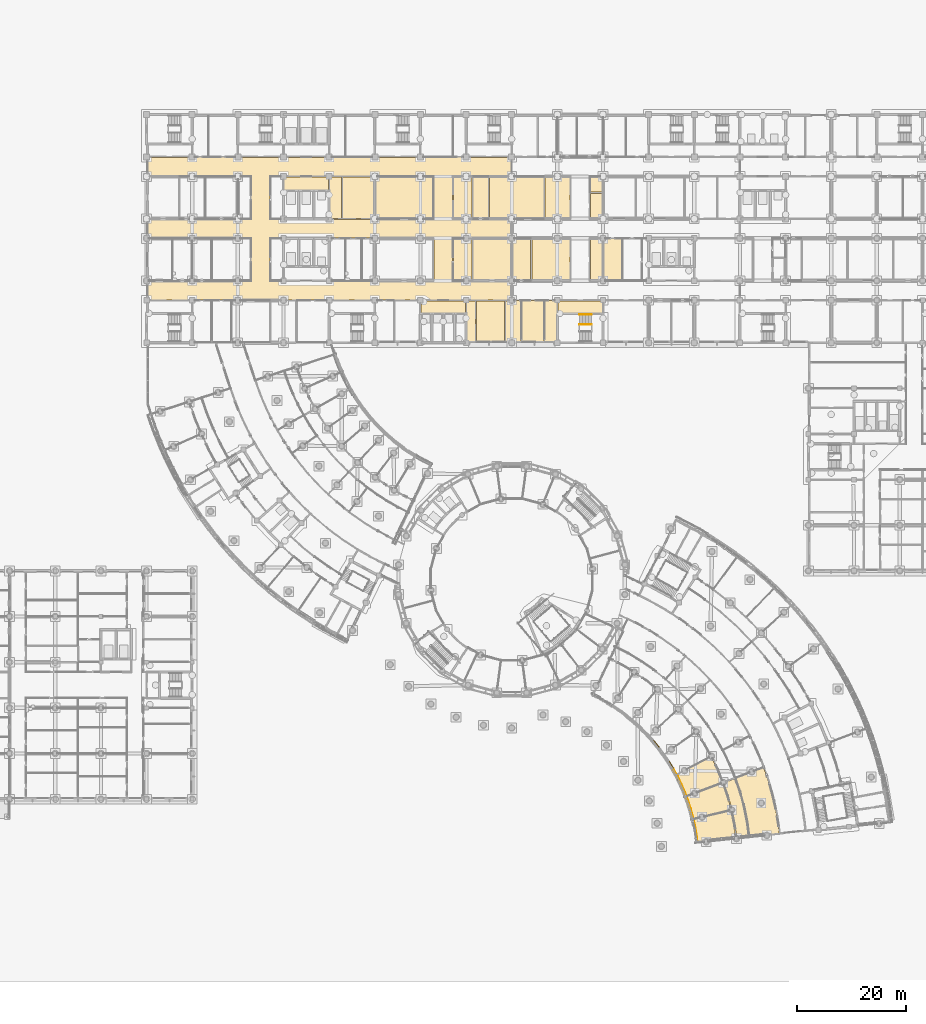
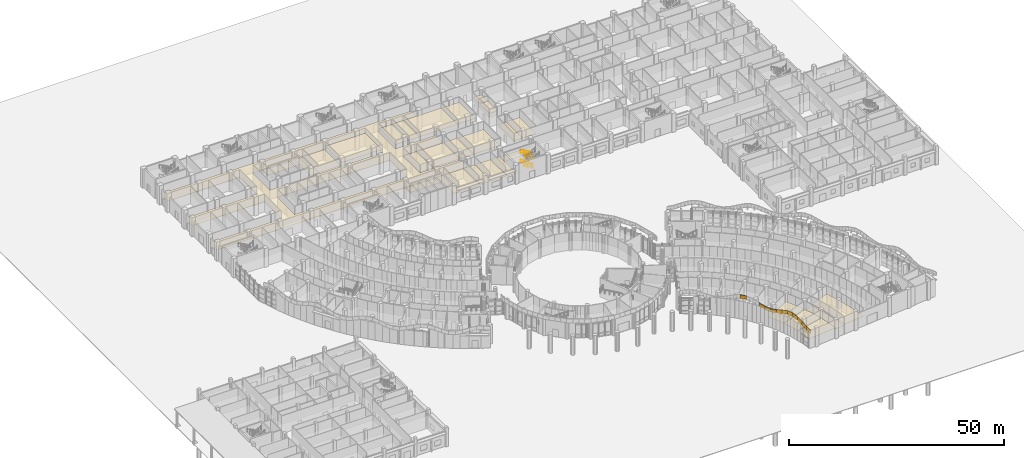
# One storey, part 131 of 146: 40 coverings, 4 railings.
"""IFC4 building model written with IfcOpenShell, lengths in metres."""

from ifc_helpers import new_model, si_unit, direction, frame, origin, origin_2d, place, context, subcontext, project, spatial, polyline, circle, outline, extrude, material, layer, layer_set, type_object, element, save


model = new_model("IFC4")

# Units and contexts
model_context = context("Model", 3, precision=1e-05, world=origin(), true_north=direction((0.0, 1.0)))
body_context = subcontext(model_context, "Body", "Model", "MODEL_VIEW")
ifc_project = project(units=[si_unit("LENGTHUNIT", "METRE"), si_unit("AREAUNIT", "SQUARE_METRE"), si_unit("VOLUMEUNIT", "CUBIC_METRE"), si_unit("PLANEANGLEUNIT", "RADIAN"), si_unit("MASSUNIT", "GRAM", prefix="KILO")], contexts=[model_context])

# Site, building, storey
site_placement = place(None, origin())
site = spatial("IfcSite", under=ifc_project, at=site_placement, CompositionType="ELEMENT")
building_placement = place(site_placement, origin())
building = spatial("IfcBuilding", under=site, at=building_placement, Name="Bougainvillea Quay General Hospital", CompositionType="ELEMENT")
storey_placement = place(building_placement, origin())
storey = spatial("IfcBuildingStorey", under=building, at=storey_placement, Name="L00", CompositionType="ELEMENT", Elevation=0.0)

# Coverings
ifc_material_1 = material(Name="Powder-coated aluminium fascia, red", Category="aluminium")
ifc_layer_1 = layer(ifc_material_1, 0.14990234375)
ifc_layer_set_1 = layer_set([ifc_layer_1], Name="Powder-coated aluminium fascia, red")
covering_type_1 = type_object("IfcCoveringType", Name="Aluminium wave fascia ribbon red 150x1000", PredefinedType="CLADDING", material=ifc_layer_set_1)
covering_1_placement = place(storey_placement, frame((135.25537109375, 44.307373046875, 5.629150390625), z_axis=(-0.010456352021, 0.012797928922, 0.999863429533), x_axis=(0.632432852444, -0.774438870979, 0.01652641118)))
element("IfcCovering", 1, at=covering_1_placement, inside=storey, type_object=covering_type_1, Name="Fascia ribbon red a21 10", PredefinedType="CLADDING", context=body_context, shape_type="SweptSolid", body=[
    extrude(outline(polyline([(0.0, 0.0), (1.5920054283031937, -6.115747285765499e-17), (1.5954214537440308, 0.150084576642099), (-0.003488134834307932, 0.14973461508075459), (0.0, 0.0)])), origin(), (0.01652641118, 3.974761e-06, 0.999863429533), 1.0),
])
covering_2_placement = place(storey_placement, frame((138.098876953125, 40.475341796875, 4.67626953125), z_axis=(0.1460503813, -0.240365047595, 0.959632184755), x_axis=(0.498070371092, -0.820255961182, -0.281258001815)))
element("IfcCovering", 2, at=covering_2_placement, inside=storey, type_object=covering_type_1, Name="Fascia ribbon red a21 13", PredefinedType="CLADDING", context=body_context, shape_type="SweptSolid", body=[
    extrude(outline(polyline([(0.0, 0.0), (1.6587501584261404, 1.6202046215080257e-17), (1.662236459535834, 0.14992005286139282), (-0.003571607161348074, 0.15003965545907455), (0.0, 0.0)])), origin(), (-0.281258001815, -7.9987442e-05, 0.959632184755), 1.0),
])
covering_3_placement = place(storey_placement, frame((138.925048828125, 39.11474609375, 4.208984375), z_axis=(0.026378014267, -0.048277588081, 0.998485590708), x_axis=(0.477987450552, -0.876642158621, -0.055013842293)))
element("IfcCovering", 3, at=covering_3_placement, inside=storey, type_object=covering_type_1, Name="Fascia ribbon red a21 14", PredefinedType="CLADDING", context=body_context, shape_type="SweptSolid", body=[
    extrude(outline(polyline([(0.0, 0.0), (1.5941036422119659, -1.6263032587282567e-17), (1.5974784159210669, 0.14999255288916558), (-0.0036364338001345182, 0.14991349660514705), (0.0, 0.0)])), origin(), (-0.055013842293, -4.7998121e-05, 0.998485590708), 1.0),
])
covering_4_placement = place(storey_placement, frame((139.68701171875, 37.71728515625, 4.12158203125), z_axis=(-0.091205848489, 0.187327997361, 0.978054044829), x_axis=(0.427832333071, -0.879516466349, 0.208351338368)))
element("IfcCovering", 4, at=covering_4_placement, inside=storey, type_object=covering_type_1, Name="Fascia ribbon red a21 15", PredefinedType="CLADDING", context=body_context, shape_type="SweptSolid", body=[
    extrude(outline(polyline([(0.0, 0.0), (1.6274860510538782, -1.2632310562171734e-16), (1.6310571235188887, 0.1500644940061393), (-0.0036748641768864325, 0.14998709725196413), (0.0, 0.0)])), origin(), (0.208351338368, 7.2071413e-05, 0.978054044829), 1.0),
])
covering_5_placement = place(storey_placement, frame((140.38330078125, 36.285888671875, 4.461669921875), z_axis=(-0.135096361514, 0.314482045669, 0.939600987685), x_axis=(0.371431194146, -0.86306948072, 0.342271733372)))
element("IfcCovering", 5, at=covering_5_placement, inside=storey, type_object=covering_type_1, Name="Fascia ribbon red a21 16", PredefinedType="CLADDING", context=body_context, shape_type="SweptSolid", body=[
    extrude(outline(polyline([(0.0, 0.0), (1.6938802745660184, 1.3769367590565906e-17), (1.69773384591488, 0.1499263530437098), (-0.0036687275888235924, 0.15006530087556896), (0.0, 0.0)])), origin(), (0.342271733372, -0.000210895181, 0.939600987685), 1.0),
])
covering_6_placement = place(storey_placement, frame((141.012451171875, 34.823974609375, 5.042724609375), z_axis=(-0.105739056109, 0.281481283623, 0.9537229886), x_axis=(0.335996375727, -0.89257717485, 0.300686585059)))
element("IfcCovering", 6, at=covering_6_placement, inside=storey, type_object=covering_type_1, Name="Fascia ribbon red a21 17", PredefinedType="CLADDING", context=body_context, shape_type="SweptSolid", body=[
    extrude(outline(polyline([(0.0, 0.0), (1.6689942695991586, 6.735605996566196e-18), (1.6727023175367575, 0.14998323475887096), (-0.0035121269046788028, 0.149934689942147), (0.0, 0.0)])), origin(), (0.300686585059, -0.000196423159, 0.9537229886), 1.0),
])
covering_7_placement = place(storey_placement, frame((141.5732421875, 33.334228515625, 5.545166015625), z_axis=(-0.029367697839, 0.087955533971, 0.995691399163), x_axis=(0.307112064601, -0.947145283147, 0.092725360007)))
element("IfcCovering", 7, at=covering_7_placement, inside=storey, type_object=covering_type_1, Name="Fascia ribbon red a21 18", PredefinedType="CLADDING", context=body_context, shape_type="SweptSolid", body=[
    extrude(outline(polyline([(0.0, 0.0), (1.5986527591592044, -3.416592096044946e-17), (1.6021627413212993, 0.15004110465553835), (-0.003476128020133116, 0.1499840812999515), (0.0, 0.0)])), origin(), (0.092725360007, 0.000803270855, 0.995691399163), 1.0),
])
covering_8_placement = place(storey_placement, frame((142.064208984375, 31.820068359375, 5.693359375), z_axis=(0.047642216128, -0.170829292867, 0.984148145322), x_axis=(0.259763897927, -0.94924760207, -0.177346292034)))
element("IfcCovering", 8, at=covering_8_placement, inside=storey, type_object=covering_type_1, Name="Fascia ribbon red a21 19", PredefinedType="CLADDING", context=body_context, shape_type="SweptSolid", body=[
    extrude(outline(polyline([(0.0, 0.0), (1.617493586643133, 5.068645156369733e-18), (1.6209538388965081, 0.15018481140118367), (-0.0035208336595826725, 0.1500408561581108), (0.0, 0.0)])), origin(), (-0.177346292034, -0.000848976421, 0.984148145322), 1.0),
])
covering_9_placement = place(storey_placement, frame((142.484375, 30.28466796875, 5.405517578125), z_axis=(0.073399239322, -0.325946992396, 0.942534407762), x_axis=(0.206453989306, -0.919645531426, -0.33410903434)))
element("IfcCovering", 9, at=covering_9_placement, inside=storey, type_object=covering_type_1, Name="Fascia ribbon red a21 20", PredefinedType="CLADDING", context=body_context, shape_type="SweptSolid", body=[
    extrude(outline(polyline([(0.0, 0.0), (1.6886737061743793, -1.473159701864679e-17), (1.6922573823050386, 0.14987421593323985), (-0.003770678158857747, 0.1501805133547914), (0.0, 0.0)])), origin(), (-0.33410903434, -0.00020822557, 0.942534407762), 1.0),
])
covering_10_placement = place(storey_placement, frame((142.8330078125, 28.731689453125, 4.840087890625), z_axis=(0.055230700614, -0.312027649731, 0.948466296456), x_axis=(0.164530762341, -0.934086723661, -0.31687792748)))
element("IfcCovering", 10, at=covering_10_placement, inside=storey, type_object=covering_type_1, Name="Fascia ribbon red a21 21", PredefinedType="CLADDING", context=body_context, shape_type="SweptSolid", body=[
    extrude(outline(polyline([(0.0, 0.0), (1.6782263844935197, 4.949382917396328e-17), (1.6817870527254954, 0.149885292064812), (-0.00379916119893468, 0.14986889758593544), (0.0, 0.0)])), origin(), (-0.31687792748, -0.0002521171, 0.948466296456), 1.0),
])
covering_11_placement = place(storey_placement, frame((143.109130859375, 27.1640625, 4.307373046875), z_axis=(0.016459739758, -0.12864416357, 0.991554212409), x_axis=(0.126483363251, -0.983453975545, -0.129692855647)))
element("IfcCovering", 11, at=covering_11_placement, inside=storey, type_object=covering_type_1, Name="Fascia ribbon red a21 22", PredefinedType="CLADDING", context=body_context, shape_type="SweptSolid", body=[
    extrude(outline(polyline([(0.0, 0.0), (1.5982212289485975, 5.2062033070038316e-17), (1.5982990995852246, 0.1498961602164668), (-0.0036487314314801165, 0.14987900956021785), (0.0, 0.0)])), origin(), (-0.129692855647, 8.394997e-05, 0.991554212409), 1.0),
])

# Railings
ifc_material_2 = material(Name="Stainless steel 304 balustrade", Category="steel")
railing_type_1 = type_object("IfcRailingType", Name="Stair guard 1100", PredefinedType="GUARDRAIL", material=ifc_material_2)
railing_1_placement = place(storey_placement, frame((123.89990234375, 120.949951171875, 0.14990234375)))
element("IfcRailing", 12, at=railing_1_placement, inside=storey, type_object=railing_type_1, Name="L00 ST-B3 stair guard 1", PredefinedType="GUARDRAIL", context=body_context, shape_type="SweptSolid", body=[
    extrude(circle(Radius=0.02392578125, at=origin_2d()), frame((0.0, 0.0, 1.076171875), z_axis=(-0.881447119201, 0.0, 0.472282728937), x_axis=(0.0, -1.0, 0.0)), (0.0, 0.0, 1.0), 2.541259765625),
    extrude(circle(Radius=0.02099609375, at=origin_2d()), origin(), (0.0, 0.0, 1.0), 1.052001953125),
    extrude(circle(Radius=0.02099609375, at=origin_2d()), frame((-0.74658203125, 0.0, 0.400146484375)), (0.0, 0.0, 1.0), 1.052001953125),
    extrude(circle(Radius=0.02099609375, at=origin_2d()), frame((-1.493408203125, 0.0, 0.800048828125)), (0.0, 0.0, 1.0), 1.052001953125),
    extrude(circle(Radius=0.02099609375, at=origin_2d()), frame((-2.239990234375, 0.0, 1.2001953125)), (0.0, 0.0, 1.0), 1.052001953125),
])
railing_2_placement = place(storey_placement, frame((123.89990234375, 120.949951171875, 2.85009765625)))
element("IfcRailing", 13, at=railing_2_placement, inside=storey, type_object=railing_type_1, Name="L00 ST-B3 stair guard 5", PredefinedType="GUARDRAIL", context=body_context, shape_type="SweptSolid", body=[
    extrude(circle(Radius=0.02392578125, at=origin_2d()), frame((0.0, 0.0, 1.076171875), z_axis=(-0.881487111273, 0.0, 0.472208081951), x_axis=(0.0, -1.0, 0.0)), (0.0, 0.0, 1.0), 2.541259765625),
    extrude(circle(Radius=0.02099609375, at=origin_2d()), origin(), (0.0, 0.0, 1.0), 1.052001953125),
    extrude(circle(Radius=0.02099609375, at=origin_2d()), frame((-0.74658203125, 0.0, 0.39990234375)), (0.0, 0.0, 1.0), 1.052001953125),
    extrude(circle(Radius=0.02099609375, at=origin_2d()), frame((-1.493408203125, 0.0, 0.800048828125)), (0.0, 0.0, 1.0), 1.052001953125),
    extrude(circle(Radius=0.02099609375, at=origin_2d()), frame((-2.239990234375, 0.0, 1.199951171875)), (0.0, 0.0, 1.0), 1.052001953125),
])
ifc_material_3 = material(Name="Stainless steel 304 handrail", Category="steel")
railing_type_2 = type_object("IfcRailingType", Name="Stair handrail 900", PredefinedType="HANDRAIL", material=ifc_material_3)
railing_3_placement = place(storey_placement, frame((123.89990234375, 122.77490234375, 0.14990234375)))
element("IfcRailing", 14, at=railing_3_placement, inside=storey, type_object=railing_type_2, Name="L00 ST-B3 stair handrail 1", PredefinedType="HANDRAIL", context=body_context, shape_type="SweptSolid", body=[
    extrude(circle(Radius=0.02392578125, at=origin_2d()), frame((0.0, 0.0, 0.8759765625), z_axis=(-0.881447119201, 0.0, 0.472282728937), x_axis=(0.0, -1.0, 0.0)), (0.0, 0.0, 1.0), 2.541259765625),
    extrude(circle(Radius=0.02099609375, at=origin_2d()), origin(), (0.0, 0.0, 1.0), 0.851806640625),
    extrude(circle(Radius=0.02099609375, at=origin_2d()), frame((-0.74658203125, 0.0, 0.400146484375)), (0.0, 0.0, 1.0), 0.851806640625),
    extrude(circle(Radius=0.02099609375, at=origin_2d()), frame((-1.493408203125, 0.0, 0.800048828125)), (0.0, 0.0, 1.0), 0.851806640625),
    extrude(circle(Radius=0.02099609375, at=origin_2d()), frame((-2.239990234375, 0.0, 1.2001953125)), (0.0, 0.0, 1.0), 0.851806640625),
])
railing_4_placement = place(storey_placement, frame((123.89990234375, 122.77490234375, 2.85009765625)))
element("IfcRailing", 15, at=railing_4_placement, inside=storey, type_object=railing_type_2, Name="L00 ST-B3 stair handrail 3", PredefinedType="HANDRAIL", context=body_context, shape_type="SweptSolid", body=[
    extrude(circle(Radius=0.02392578125, at=origin_2d()), frame((0.0, 0.0, 0.8759765625), z_axis=(-0.881487111273, 0.0, 0.472208081951), x_axis=(0.0, -1.0, 0.0)), (0.0, 0.0, 1.0), 2.541259765625),
    extrude(circle(Radius=0.02099609375, at=origin_2d()), origin(), (0.0, 0.0, 1.0), 0.851806640625),
    extrude(circle(Radius=0.02099609375, at=origin_2d()), frame((-0.74658203125, 0.0, 0.39990234375)), (0.0, 0.0, 1.0), 0.851806640625),
    extrude(circle(Radius=0.02099609375, at=origin_2d()), frame((-1.493408203125, 0.0, 0.800048828125)), (0.0, 0.0, 1.0), 0.851806640625),
    extrude(circle(Radius=0.02099609375, at=origin_2d()), frame((-2.239990234375, 0.0, 1.199951171875)), (0.0, 0.0, 1.0), 0.851806640625),
])

# Coverings
ifc_material_4 = material(Name="Mineral fibre ceiling tile")
ifc_layer_2 = layer(ifc_material_4, 0.030029296875)
ifc_layer_set_2 = layer_set([ifc_layer_2], Name="Mineral fibre ceiling tile")
covering_type_2 = type_object("IfcCoveringType", Name="Suspended ceiling mineral fibre tile", PredefinedType="CEILING", material=ifc_layer_set_2)
covering_12_placement = place(storey_placement, frame((0.0, 0.0, 2.699951171875)))
element("IfcCovering", 16, at=covering_12_placement, inside=storey, type_object=covering_type_2, Name="Ceiling Corridor V4-6", PredefinedType="CEILING", context=body_context, shape_type="SweptSolid", body=[
    extrude(outline(polyline([(42.0, 125.5), (50.5, 125.5), (50.5, 125.449951171875), (64.697998046875, 125.449951171875), (64.697998046875, 125.5), (69.697998046875, 125.5), (69.697998046875, 125.449951171875), (75.5, 125.449951171875), (75.5, 125.5), (84.10009765625, 125.5), (84.10009765625, 125.449951171875), (87.498046875, 125.449951171875), (87.498046875, 125.5), (109.10009765625, 125.5), (109.10009765625, 128.89990234375), (101.89990234375, 128.89990234375), (101.89990234375, 128.949951171875), (98.35009765625, 128.949951171875), (98.35009765625, 136.85009765625), (101.89990234375, 136.85009765625), (101.89990234375, 136.89990234375), (109.10009765625, 136.89990234375), (109.10009765625, 140.300048828125), (104.89990234375, 140.300048828125), (104.89990234375, 140.35009765625), (102.10009765625, 140.35009765625), (102.10009765625, 140.300048828125), (98.300048828125, 140.300048828125), (98.300048828125, 148.300048828125), (102.10009765625, 148.300048828125), (102.10009765625, 148.25), (104.89990234375, 148.25), (104.89990234375, 148.300048828125), (109.10009765625, 148.300048828125), (109.10009765625, 151.699951171875), (100.699951171875, 151.699951171875), (100.699951171875, 151.75), (92.5, 151.75), (92.5, 151.699951171875), (83.89990234375, 151.699951171875), (83.89990234375, 151.75), (75.699951171875, 151.75), (75.699951171875, 151.699951171875), (58.699951171875, 151.699951171875), (58.699951171875, 151.75), (50.5, 151.75), (50.5, 151.699951171875), (42.0, 151.699951171875), (42.0, 148.300048828125), (48.10009765625, 148.300048828125), (48.10009765625, 148.25), (61.25, 148.25), (61.25, 140.35009765625), (48.10009765625, 140.35009765625), (48.10009765625, 140.300048828125), (42.0, 140.300048828125), (42.0, 136.85009765625), (61.25, 136.85009765625), (61.25, 129.050048828125), (61.25, 128.949951171875), (42.0, 128.949951171875), (42.0, 125.5)]), holes=[polyline([(75.699951171875, 128.89990234375), (75.699951171875, 128.949951171875), (83.89990234375, 128.949951171875), (83.89990234375, 128.89990234375), (94.89990234375, 128.89990234375), (94.89990234375, 136.89990234375), (83.89990234375, 136.89990234375), (83.89990234375, 136.85009765625), (64.75, 136.85009765625), (64.75, 128.949951171875), (67.10009765625, 128.949951171875), (67.10009765625, 128.89990234375), (75.699951171875, 128.89990234375)]), polyline([(64.75, 140.35009765625), (75.5, 140.35009765625), (75.5, 140.300048828125), (84.10009765625, 140.300048828125), (84.10009765625, 140.35009765625), (94.85009765625, 140.35009765625), (94.85009765625, 148.25), (84.10009765625, 148.25), (84.10009765625, 148.300048828125), (67.10009765625, 148.300048828125), (67.10009765625, 148.25), (64.75, 148.25), (64.75, 140.35009765625)])]), origin(), (0.0, 0.0, 1.0), 0.030029296875),
])
covering_13_placement = place(storey_placement, frame((0.0, 0.0, 2.699951171875)))
element("IfcCovering", 17, at=covering_13_placement, inside=storey, type_object=covering_type_2, Name="Ceiling Fire Lift Lobby LB-A1", PredefinedType="CEILING", context=body_context, shape_type="SweptSolid", body=[
    extrude(outline(polyline([(75.5, 148.10009765625), (67.300048828125, 148.10009765625), (67.300048828125, 145.699951171875), (75.5, 145.699951171875), (75.5, 148.10009765625)])), origin(), (0.0, 0.0, 1.0), 0.030029296875),
])
covering_14_placement = place(storey_placement, frame((0.0, 0.0, 2.699951171875)))
element("IfcCovering", 18, at=covering_14_placement, inside=storey, type_object=covering_type_2, Name="Ceiling Lift Lobby LB-P1", PredefinedType="CEILING", context=body_context, shape_type="SweptSolid", body=[
    extrude(outline(polyline([(92.5, 125.300048828125), (92.5, 123.10009765625), (100.699951171875, 123.10009765625), (100.699951171875, 125.300048828125), (92.5, 125.300048828125)])), origin(), (0.0, 0.0, 1.0), 0.030029296875),
])
covering_15_placement = place(storey_placement, frame((0.0, 0.0, 2.699951171875)))
element("IfcCovering", 19, at=covering_15_placement, inside=storey, type_object=covering_type_2, Name="Ceiling Smoke-proof Stair Vestibule ST-B3", PredefinedType="CEILING", context=body_context, shape_type="SweptSolid", body=[
    extrude(outline(polyline([(125.89990234375, 125.300048828125), (117.699951171875, 125.300048828125), (117.699951171875, 123.10009765625), (125.89990234375, 123.10009765625), (125.89990234375, 125.300048828125)])), origin(), (0.0, 0.0, 1.0), 0.030029296875),
])
covering_16_placement = place(storey_placement, frame((0.0, 0.0, 2.800048828125)))
element("IfcCovering", 20, at=covering_16_placement, inside=storey, type_object=covering_type_2, Name="Ceiling MRI Equipment Room 01", PredefinedType="CEILING", context=body_context, shape_type="SweptSolid", body=[
    extrude(outline(polyline([(98.998046875, 117.597900390625), (102.498046875, 117.597900390625), (102.498046875, 125.300048828125), (100.89990234375, 125.300048828125), (100.89990234375, 117.60009765625), (98.998046875, 117.60009765625), (98.998046875, 117.597900390625)])), origin(), (0.0, 0.0, 1.0), 0.030029296875),
])
covering_17_placement = place(storey_placement, frame((0.0, 0.0, 2.800048828125)))
element("IfcCovering", 21, at=covering_17_placement, inside=storey, type_object=covering_type_2, Name="Ceiling General X-ray Room 01", PredefinedType="CEILING", context=body_context, shape_type="SweptSolid", body=[
    extrude(outline(polyline([(102.697998046875, 117.697998046875), (107.89794921875, 117.697998046875), (107.89794921875, 125.300048828125), (102.697998046875, 125.300048828125), (102.697998046875, 117.697998046875)])), origin(), (0.0, 0.0, 1.0), 0.030029296875),
])
covering_18_placement = place(storey_placement, frame((0.0, 0.0, 2.800048828125)))
element("IfcCovering", 22, at=covering_18_placement, inside=storey, type_object=covering_type_2, Name="Ceiling X-ray Control Room", PredefinedType="CEILING", context=body_context, shape_type="SweptSolid", body=[
    extrude(outline(polyline([(109.300048828125, 125.300048828125), (108.097900390625, 125.300048828125), (108.097900390625, 117.64794921875), (110.947998046875, 117.64794921875), (110.947998046875, 125.35009765625), (109.300048828125, 125.35009765625), (109.300048828125, 125.300048828125)])), origin(), (0.0, 0.0, 1.0), 0.030029296875),
])
covering_19_placement = place(storey_placement, frame((0.0, 0.0, 2.800048828125)))
element("IfcCovering", 23, at=covering_19_placement, inside=storey, type_object=covering_type_2, Name="Ceiling Ultrasound Room 01", PredefinedType="CEILING", context=body_context, shape_type="SweptSolid", body=[
    extrude(outline(polyline([(111.048095703125, 117.64794921875), (115.14794921875, 117.64794921875), (115.14794921875, 125.35009765625), (111.048095703125, 125.35009765625), (111.048095703125, 117.64794921875)])), origin(), (0.0, 0.0, 1.0), 0.030029296875),
])
covering_20_placement = place(storey_placement, frame((0.0, 0.0, 2.800048828125)))
element("IfcCovering", 24, at=covering_20_placement, inside=storey, type_object=covering_type_2, Name="Ceiling Imaging Reception", PredefinedType="CEILING", context=body_context, shape_type="SweptSolid", body=[
    extrude(outline(polyline([(117.550048828125, 122.89990234375), (117.5, 122.89990234375), (117.5, 125.35009765625), (115.248046875, 125.35009765625), (115.248046875, 117.597900390625), (119.39794921875, 117.597900390625), (119.39794921875, 117.60009765625), (117.550048828125, 117.60009765625), (117.550048828125, 122.89990234375)])), origin(), (0.0, 0.0, 1.0), 0.030029296875),
])
covering_21_placement = place(storey_placement, frame((0.0, 0.0, 2.800048828125)))
element("IfcCovering", 25, at=covering_21_placement, inside=storey, type_object=covering_type_2, Name="Ceiling CT Control Room 02", PredefinedType="CEILING", context=body_context, shape_type="SweptSolid", body=[
    extrude(outline(polyline([(101.89990234375, 129.050048828125), (101.89990234375, 136.75), (98.449951171875, 136.75), (98.449951171875, 129.050048828125), (101.89990234375, 129.050048828125)])), origin(), (0.0, 0.0, 1.0), 0.030029296875),
])
covering_22_placement = place(storey_placement, frame((0.0, 0.0, 2.800048828125)))
element("IfcCovering", 26, at=covering_22_placement, inside=storey, type_object=covering_type_2, Name="Ceiling MRI Scanner Room 02", PredefinedType="CEILING", context=body_context, shape_type="SweptSolid", body=[
    extrude(outline(polyline([(102.10009765625, 129.10009765625), (109.10009765625, 129.10009765625), (109.10009765625, 136.699951171875), (102.10009765625, 136.699951171875), (102.10009765625, 129.10009765625)])), origin(), (0.0, 0.0, 1.0), 0.030029296875),
])
covering_23_placement = place(storey_placement, frame((0.0, 0.0, 2.800048828125)))
element("IfcCovering", 27, at=covering_23_placement, inside=storey, type_object=covering_type_2, Name="Ceiling MRI Control Room 02", PredefinedType="CEILING", context=body_context, shape_type="SweptSolid", body=[
    extrude(outline(polyline([(112.699951171875, 129.050048828125), (112.699951171875, 136.75), (109.300048828125, 136.75), (109.300048828125, 129.050048828125), (112.699951171875, 129.050048828125)])), origin(), (0.0, 0.0, 1.0), 0.030029296875),
])
covering_24_placement = place(storey_placement, frame((0.0, 0.0, 2.800048828125)))
element("IfcCovering", 28, at=covering_24_placement, inside=storey, type_object=covering_type_2, Name="Ceiling MRI Equipment Room 02", PredefinedType="CEILING", context=body_context, shape_type="SweptSolid", body=[
    extrude(outline(polyline([(112.89990234375, 129.10009765625), (119.89990234375, 129.10009765625), (119.89990234375, 136.699951171875), (112.89990234375, 136.699951171875), (112.89990234375, 129.10009765625)])), origin(), (0.0, 0.0, 1.0), 0.030029296875),
])
covering_25_placement = place(storey_placement, frame((0.0, 0.0, 2.800048828125)))
element("IfcCovering", 29, at=covering_25_placement, inside=storey, type_object=covering_type_2, Name="Ceiling General X-ray Room 02", PredefinedType="CEILING", context=body_context, shape_type="SweptSolid", body=[
    extrude(outline(polyline([(125.89990234375, 136.699951171875), (123.699951171875, 136.699951171875), (123.699951171875, 129.10009765625), (125.89990234375, 129.10009765625), (125.89990234375, 136.699951171875)])), origin(), (0.0, 0.0, 1.0), 0.030029296875),
])
covering_26_placement = place(storey_placement, frame((0.0, 0.0, 2.800048828125)))
element("IfcCovering", 30, at=covering_26_placement, inside=storey, type_object=covering_type_2, Name="Ceiling DSA Control Room", PredefinedType="CEILING", context=body_context, shape_type="SweptSolid", body=[
    extrude(outline(polyline([(126.10009765625, 129.050048828125), (129.550048828125, 129.050048828125), (129.550048828125, 136.75), (126.10009765625, 136.75), (126.10009765625, 129.050048828125)])), origin(), (0.0, 0.0, 1.0), 0.030029296875),
])
covering_27_placement = place(storey_placement, frame((0.0, 0.0, 2.800048828125)))
element("IfcCovering", 31, at=covering_27_placement, inside=storey, type_object=covering_type_2, Name="Ceiling Waste Holding Room", PredefinedType="CEILING", context=body_context, shape_type="SweptSolid", body=[
    extrude(outline(polyline([(77.89990234375, 140.5), (77.89990234375, 148.10009765625), (75.699951171875, 148.10009765625), (75.699951171875, 140.5), (77.89990234375, 140.5)])), origin(), (0.0, 0.0, 1.0), 0.030029296875),
])
covering_28_placement = place(storey_placement, frame((0.0, 0.0, 2.800048828125)))
element("IfcCovering", 32, at=covering_28_placement, inside=storey, type_object=covering_type_2, Name="Ceiling Clinical Waste Store", PredefinedType="CEILING", context=body_context, shape_type="SweptSolid", body=[
    extrude(outline(polyline([(78.10009765625, 148.10009765625), (78.10009765625, 140.5), (83.89990234375, 140.5), (83.89990234375, 148.10009765625), (78.10009765625, 148.10009765625)])), origin(), (0.0, 0.0, 1.0), 0.030029296875),
])
covering_29_placement = place(storey_placement, frame((0.0, 0.0, 3.60009765625)))
element("IfcCovering", 33, at=covering_29_placement, inside=storey, type_object=covering_type_2, Name="Ceiling Kitchen Preparation Room", PredefinedType="CEILING", context=body_context, shape_type="SweptSolid", body=[
    extrude(outline(polyline([(94.75, 148.14990234375), (84.10009765625, 148.14990234375), (84.10009765625, 140.449951171875), (94.75, 140.449951171875), (94.75, 148.14990234375)])), origin(), (0.0, 0.0, 1.0), 0.02978515625),
])
covering_30_placement = place(storey_placement, frame((0.0, 0.0, 3.60009765625)))
element("IfcCovering", 34, at=covering_30_placement, inside=storey, type_object=covering_type_2, Name="Ceiling Kitchen Waste Room", PredefinedType="CEILING", context=body_context, shape_type="SweptSolid", body=[
    extrude(outline(polyline([(98.5, 148.10009765625), (98.5, 140.5), (101.89990234375, 140.5), (101.89990234375, 148.10009765625), (98.5, 148.10009765625)])), origin(), (0.0, 0.0, 1.0), 0.02978515625),
])
covering_31_placement = place(storey_placement, frame((0.0, 0.0, 3.60009765625)))
element("IfcCovering", 35, at=covering_31_placement, inside=storey, type_object=covering_type_2, Name="Ceiling Kitchen Accessible WC", PredefinedType="CEILING", context=body_context, shape_type="SweptSolid", body=[
    extrude(outline(polyline([(102.10009765625, 140.449951171875), (104.89990234375, 140.449951171875), (104.89990234375, 148.14990234375), (102.10009765625, 148.14990234375), (102.10009765625, 140.449951171875)])), origin(), (0.0, 0.0, 1.0), 0.02978515625),
])
covering_32_placement = place(storey_placement, frame((0.0, 0.0, 3.60009765625)))
element("IfcCovering", 36, at=covering_32_placement, inside=storey, type_object=covering_type_2, Name="Ceiling Main Kitchen", PredefinedType="CEILING", context=body_context, shape_type="SweptSolid", body=[
    extrude(outline(polyline([(109.300048828125, 140.449951171875), (115.10009765625, 140.449951171875), (115.10009765625, 148.14990234375), (109.300048828125, 148.14990234375), (109.300048828125, 148.10009765625), (105.10009765625, 148.10009765625), (105.10009765625, 140.5), (109.300048828125, 140.5), (109.300048828125, 140.449951171875)])), origin(), (0.0, 0.0, 1.0), 0.02978515625),
])
covering_33_placement = place(storey_placement, frame((0.0, 0.0, 3.60009765625)))
element("IfcCovering", 37, at=covering_33_placement, inside=storey, type_object=covering_type_2, Name="Ceiling Kitchen Cold Store", PredefinedType="CEILING", context=body_context, shape_type="SweptSolid", body=[
    extrude(outline(polyline([(115.300048828125, 140.5), (119.89990234375, 140.5), (119.89990234375, 148.10009765625), (115.300048828125, 148.10009765625), (115.300048828125, 140.5)])), origin(), (0.0, 0.0, 1.0), 0.02978515625),
])
covering_34_placement = place(storey_placement, frame((0.0, 0.0, 3.60009765625)))
element("IfcCovering", 38, at=covering_34_placement, inside=storey, type_object=covering_type_2, Name="Ceiling Kitchen Dry Store", PredefinedType="CEILING", context=body_context, shape_type="SweptSolid", body=[
    extrude(outline(polyline([(123.699951171875, 140.5), (125.89990234375, 140.5), (125.89990234375, 145.10009765625), (123.699951171875, 145.10009765625), (123.699951171875, 140.5)])), origin(), (0.0, 0.0, 1.0), 0.02978515625),
])
covering_35_placement = place(storey_placement, frame((0.0, 0.0, 3.60009765625)))
element("IfcCovering", 39, at=covering_35_placement, inside=storey, type_object=covering_type_2, Name="Ceiling Kitchen Preparation Room", PredefinedType="CEILING", context=body_context, shape_type="SweptSolid", body=[
    extrude(outline(polyline([(123.64990234375, 148.14990234375), (123.64990234375, 145.300048828125), (125.89990234375, 145.300048828125), (125.89990234375, 148.14990234375), (123.64990234375, 148.14990234375)])), origin(), (0.0, 0.0, 1.0), 0.02978515625),
])
covering_36_placement = place(storey_placement, frame((0.0, 0.0, 2.699951171875)))
element("IfcCovering", 40, at=covering_36_placement, inside=storey, type_object=covering_type_2, Name="Ceiling Neurology Treatment Room 00E113", PredefinedType="CEILING", context=body_context, shape_type="SweptSolid", body=[
    extrude(outline(polyline([(139.303955078125, 37.909912109375), (139.75244140625, 37.02978515625), (139.75390625, 37.030517578125), (139.79736328125, 36.942138671875), (139.7958984375, 36.94140625), (140.216552734375, 36.048095703125), (140.218017578125, 36.048828125), (140.258544921875, 35.958984375), (140.257080078125, 35.95849609375), (140.648681640625, 35.05126953125), (140.650146484375, 35.0517578125), (140.687744140625, 34.9609375), (140.686279296875, 34.960205078125), (141.04833984375, 34.042236328125), (148.02197265625, 36.6669921875), (147.050537109375, 39.077392578125), (145.90673828125, 41.411865234375), (139.303955078125, 37.909912109375)])), origin(), (0.0, 0.0, 1.0), 0.030029296875),
])
covering_37_placement = place(storey_placement, frame((0.0, 0.0, 2.39990234375)))
element("IfcCovering", 41, at=covering_37_placement, inside=storey, type_object=covering_type_2, Name="Ceiling Clinic Corridor 00E1", PredefinedType="CEILING", context=body_context, shape_type="SweptSolid", body=[
    extrude(outline(polyline([(150.27490234375, 29.06494140625), (150.283935546875, 28.9931640625), (150.29833984375, 28.92236328125), (150.293212890625, 28.92138671875), (150.6171875, 26.406494140625), (152.85302734375, 26.641845703125), (152.501953125, 29.370849609375), (151.944091796875, 32.11669921875), (151.21240234375, 34.82177734375), (150.31884765625, 37.37109375), (148.21435546875, 36.5791015625), (149.03564453125, 34.233642578125), (149.040771484375, 34.235107421875), (149.0595703125, 34.165283203125), (149.08349609375, 34.096923828125), (149.07861328125, 34.09521484375), (149.736083984375, 31.66845703125), (149.740478515625, 31.66943359375), (149.755126953125, 31.598388671875), (149.77392578125, 31.5283203125), (149.76953125, 31.527099609375), (150.26953125, 29.064208984375), (150.27490234375, 29.06494140625)])), origin(), (0.0, 0.0, 1.0), 0.030029296875),
])
covering_38_placement = place(storey_placement, frame((0.0, 0.0, 2.699951171875)))
element("IfcCovering", 42, at=covering_38_placement, inside=storey, type_object=covering_type_2, Name="Ceiling Dental Waiting Hall 00E101", PredefinedType="CEILING", context=body_context, shape_type="SweptSolid", body=[
    extrude(outline(polyline([(157.4140625, 33.312744140625), (157.03466796875, 34.822509765625), (156.607177734375, 36.3193359375), (156.134033203125, 37.802001953125), (155.562744140625, 39.3984375), (150.44482421875, 37.471923828125), (150.462890625, 37.42724609375), (150.459228515625, 37.424072265625), (151.331787109375, 34.9345703125), (151.3369140625, 34.93603515625), (151.355712890625, 34.8662109375), (151.379638671875, 34.798095703125), (151.37451171875, 34.79638671875), (152.071044921875, 32.221435546875), (152.07568359375, 32.222412109375), (152.090087890625, 32.1513671875), (152.10888671875, 32.081298828125), (152.1044921875, 32.080078125), (152.635498046875, 29.46630859375), (152.640869140625, 29.467041015625), (152.650146484375, 29.395263671875), (152.66455078125, 29.324462890625), (152.6591796875, 29.323486328125), (153.002197265625, 26.657470703125), (158.447265625, 27.229736328125), (158.265625, 28.723876953125), (158.030029296875, 30.262451171875), (157.74658203125, 31.792236328125), (157.4140625, 33.312744140625)])), origin(), (0.0, 0.0, 1.0), 0.030029296875),
])
covering_39_placement = place(storey_placement, frame((0.0, 0.0, 2.699951171875)))
element("IfcCovering", 43, at=covering_39_placement, inside=storey, type_object=covering_type_2, Name="Ceiling Dental Consulting Room 00E111", PredefinedType="CEILING", context=body_context, shape_type="SweptSolid", body=[
    extrude(outline(polyline([(141.416748046875, 33.01953125), (141.418212890625, 33.02001953125), (141.449951171875, 32.9267578125), (141.448486328125, 32.92626953125), (141.751708984375, 31.986328125), (141.753173828125, 31.98681640625), (141.781982421875, 31.892822265625), (141.780517578125, 31.892333984375), (142.0537109375, 30.9423828125), (142.05517578125, 30.94287109375), (142.080810546875, 30.84765625), (142.079345703125, 30.847412109375), (142.322265625, 29.890869140625), (149.595947265625, 31.612060546875), (148.916259765625, 34.120849609375), (148.057373046875, 36.573486328125), (141.083740234375, 33.948486328125), (141.416748046875, 33.01953125)])), origin(), (0.0, 0.0, 1.0), 0.030029296875),
])
covering_40_placement = place(storey_placement, frame((0.0, 0.0, 2.699951171875)))
element("IfcCovering", 44, at=covering_40_placement, inside=storey, type_object=covering_type_2, Name="Ceiling Dental Examination Room 00E112", PredefinedType="CEILING", context=body_context, shape_type="SweptSolid", body=[
    extrude(outline(polyline([(143.012939453125, 25.555908203125), (143.0078125, 25.605712890625), (150.468017578125, 26.390869140625), (150.135986328125, 28.96875), (149.618896484375, 31.5146484375), (142.345458984375, 29.793701171875), (142.56787109375, 28.78271484375), (142.51904296875, 28.77197265625), (142.718017578125, 27.705078125), (142.887939453125, 26.597900390625), (143.012939453125, 25.555908203125)])), origin(), (0.0, 0.0, 1.0), 0.030029296875),
])

save(model, "model.ifc")
